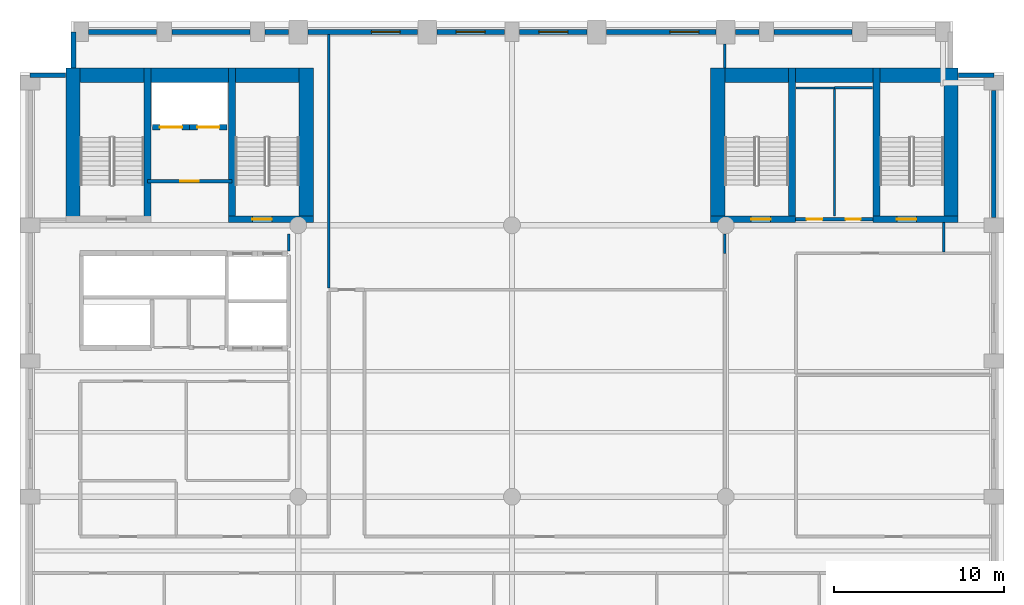
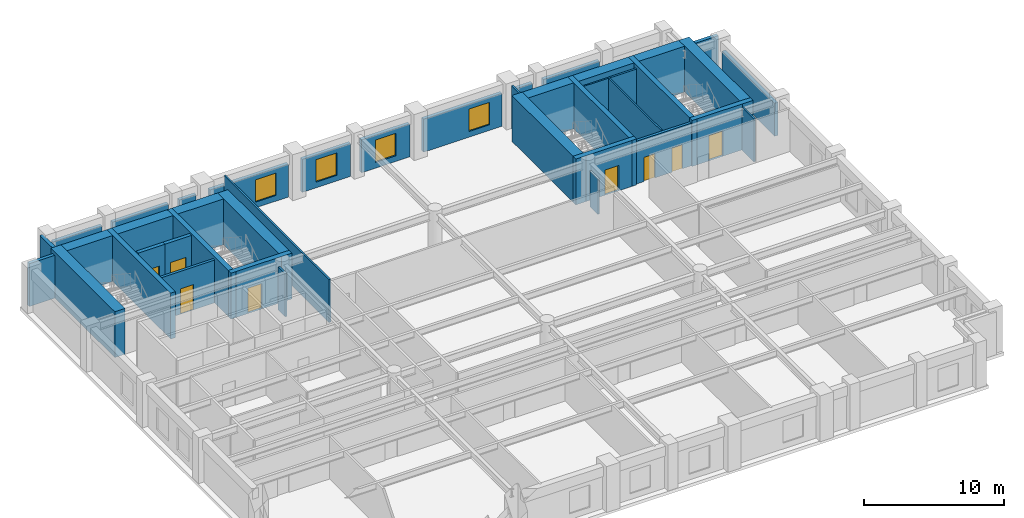
# One storey, part 5 of 8: 38 walls, 8 doors, 4 windows, 12 openings.
"""IFC4 building model written with IfcOpenShell, lengths in metres."""

from ifc_helpers import new_model, si_unit, direction, frame, frame_2d, origin, place, context, subcontext, project, spatial, rectangle, extrude, material, layer, layer_set, type_object, element, fill, save


model = new_model("IFC4")

# Units and contexts
model_context = context("Model", 3, precision=1e-05, world=origin(), true_north=direction((0.0, 1.0)))
body_context = subcontext(model_context, "Body", "Model", "MODEL_VIEW")
ifc_project = project(units=[si_unit("LENGTHUNIT", "METRE"), si_unit("AREAUNIT", "SQUARE_METRE"), si_unit("VOLUMEUNIT", "CUBIC_METRE"), si_unit("PLANEANGLEUNIT", "RADIAN"), si_unit("MASSUNIT", "GRAM", prefix="KILO")], contexts=[model_context])

# Site, building, storey
site_placement = place(None, origin())
site = spatial("IfcSite", under=ifc_project, at=site_placement, CompositionType="ELEMENT")
building_placement = place(site_placement, origin())
building = spatial("IfcBuilding", under=site, at=building_placement, Name="Sulina Concourse Tower", CompositionType="ELEMENT")
storey_placement = place(building_placement, frame((0.0, 0.0, 104.60009765625)))
storey = spatial("IfcBuildingStorey", under=building, at=storey_placement, Name="L25", CompositionType="ELEMENT", Elevation=104.60009765625)

# Wall, opening, door
ifc_material_1 = material(Name="Concrete C50/60", Category="concrete")
ifc_layer_1 = layer(ifc_material_1, 0.300048828125)
ifc_layer_set_1 = layer_set([ifc_layer_1], Name="Concrete C50/60")
wall_type_1 = type_object("IfcWallType", Name="Core Lift Hoistway Wall 300mm", PredefinedType="SOLIDWALL", material=ifc_layer_set_1)
wall_1_placement = place(storey_placement, frame((10.0, 39.780029296875, 0.0), z_axis=(0.0, 0.0, 1.0), x_axis=(-1.0, 0.0, 0.0)))
wall_1 = element("IfcWall", 1, at=wall_1_placement, inside=storey, type_object=wall_type_1, Name="L25 hoistway enclosure wall FFL-1", PredefinedType="SOLIDWALL", context=body_context, shape_type="SweptSolid", body=[
    extrude(rectangle(XDim=2.199951171875, YDim=0.300048828125, at=frame_2d((1.10009765625, 0.0))), origin(), (0.0, 0.0, 1.0), 4.0),
])
opening_1_placement = place(wall_1_placement, frame((0.449951171875, 0.0, 0.0)))
opening_1 = element("IfcOpeningElement", 2, at=opening_1_placement, cuts=wall_1, Name="Opening LD-02", PredefinedType="OPENING", context=body_context, shape_type="SweptSolid", body=[
    extrude(rectangle(XDim=1.300048828125, YDim=2.25, at=frame_2d((0.64990234375, 1.125))), frame((0.0, 0.159912109375, 0.0), z_axis=(0.0, -1.0, 0.0), x_axis=(1.0, 0.0, 0.0)), (0.0, 0.0, 1.0), 0.320068359375),
])
ifc_material_2 = material(Name="Stainless steel lift landing door", Category="steel")
ifc_layer_2 = layer(ifc_material_2, 0.050048828125)
ifc_layer_set_2 = layer_set([ifc_layer_2], Name="Stainless steel lift landing door")
door_type_1 = type_object("IfcDoorType", Name="Firefighting Lift Sliding Landing Door 1300x2250", OperationType="SLIDING_TO_RIGHT", PredefinedType="DOOR", material=ifc_layer_set_2)
door_1_placement = place(opening_1_placement, origin())
door_1 = element("IfcDoor", 3, at=door_1_placement, inside=storey, type_object=door_type_1, Name="L25 lift landing sliding door FFL-1", OperationType="SLIDING_TO_LEFT", OverallHeight=2.25, OverallWidth=1.300048828125, PredefinedType="DOOR", context=body_context, shape_type="SweptSolid", body=[
    extrude(rectangle(XDim=1.300048828125, YDim=2.25, at=frame_2d((0.64990234375, 1.125))), frame((0.0, 0.02490234375, 0.0), z_axis=(0.0, -1.0, 0.0), x_axis=(1.0, 0.0, 0.0)), (0.0, 0.0, 1.0), 0.050048828125),
])
fill(opening_1, door_1)

wall_2_placement = place(storey_placement, frame((12.199951171875, 39.780029296875, 0.0), z_axis=(0.0, 0.0, 1.0), x_axis=(-1.0, 0.0, 0.0)))
wall_2 = element("IfcWall", 4, at=wall_2_placement, inside=storey, type_object=wall_type_1, Name="L25 hoistway enclosure wall FFL-2", PredefinedType="SOLIDWALL", context=body_context, shape_type="SweptSolid", body=[
    extrude(rectangle(XDim=2.199951171875, YDim=0.300048828125, at=frame_2d((1.10009765625, 0.0))), origin(), (0.0, 0.0, 1.0), 4.0),
])
opening_2_placement = place(wall_2_placement, frame((0.449951171875, 0.0, 0.0)))
opening_2 = element("IfcOpeningElement", 5, at=opening_2_placement, cuts=wall_2, Name="Opening LD-02", PredefinedType="OPENING", context=body_context, shape_type="SweptSolid", body=[
    extrude(rectangle(XDim=1.300048828125, YDim=2.25, at=frame_2d((0.64990234375, 1.125))), frame((0.0, 0.159912109375, 0.0), z_axis=(0.0, -1.0, 0.0), x_axis=(1.0, 0.0, 0.0)), (0.0, 0.0, 1.0), 0.320068359375),
])
door_2_placement = place(opening_2_placement, origin())
door_2 = element("IfcDoor", 6, at=door_2_placement, inside=storey, type_object=door_type_1, Name="L25 lift landing sliding door FFL-2", OperationType="SLIDING_TO_RIGHT", OverallHeight=2.25, OverallWidth=1.300048828125, PredefinedType="DOOR", context=body_context, shape_type="SweptSolid", body=[
    extrude(rectangle(XDim=1.300048828125, YDim=2.25, at=frame_2d((0.64990234375, 1.125))), frame((0.0, 0.02490234375, 0.0), z_axis=(0.0, -1.0, 0.0), x_axis=(1.0, 0.0, 0.0)), (0.0, 0.0, 1.0), 0.050048828125),
])
fill(opening_2, door_2)

ifc_material_3 = material(Name="Gypsum board on steel stud", Category="steel")
ifc_layer_3 = layer(ifc_material_3, 0.219970703125)
ifc_layer_set_3 = layer_set([ifc_layer_3], Name="Gypsum board on steel stud")
wall_type_2 = type_object("IfcWallType", Name="Fire-Rated Lobby & Compartment Wall 220mm", PredefinedType="PARTITIONING", material=ifc_layer_set_3)
wall_3_placement = place(storey_placement, frame((7.510009765625, 36.60009765625, 0.0), z_axis=(0.0, 0.0, 1.0), x_axis=(1.0, 0.0, 0.0)))
wall_3 = element("IfcWall", 7, at=wall_3_placement, inside=storey, type_object=wall_type_2, Name="L25 firefighting lobby south fire wall", PredefinedType="PARTITIONING", context=body_context, shape_type="SweptSolid", body=[
    extrude(rectangle(XDim=4.97998046875, YDim=0.219970703125, at=frame_2d((2.489990234375, 0.0))), origin(), (0.0, 0.0, 1.0), 3.724853515625),
])
opening_3_placement = place(wall_3_placement, frame((1.93994140625, 0.0, 0.0)))
opening_3 = element("IfcOpeningElement", 8, at=opening_3_placement, cuts=wall_3, Name="Opening DR-47", PredefinedType="OPENING", context=body_context, shape_type="SweptSolid", body=[
    extrude(rectangle(XDim=1.10009765625, YDim=2.199951171875, at=frame_2d((0.550048828125, 1.10009765625))), frame((0.0, 0.119873046875, 0.0), z_axis=(0.0, -1.0, 0.0), x_axis=(1.0, 0.0, 0.0)), (0.0, 0.0, 1.0), 0.239990234375),
])
ifc_material_4 = material(Name="Galvanised steel acoustic fire leaf", Category="steel")
ifc_layer_4 = layer(ifc_material_4, 0.054931640625)
ifc_layer_set_4 = layer_set([ifc_layer_4], Name="Galvanised steel acoustic fire leaf")
door_type_2 = type_object("IfcDoorType", Name="Firefighting Lobby Fire Door 1100x2200", OperationType="NOTDEFINED", PredefinedType="DOOR", material=ifc_layer_set_4)
door_3_placement = place(opening_3_placement, origin())
door_3 = element("IfcDoor", 9, at=door_3_placement, inside=storey, type_object=door_type_2, Name="L25 firefighting lobby fire door", OperationType="SINGLE_SWING_RIGHT", OverallHeight=2.199951171875, OverallWidth=1.10009765625, PredefinedType="DOOR", context=body_context, shape_type="SweptSolid", body=[
    extrude(rectangle(XDim=1.10009765625, YDim=2.199951171875, at=frame_2d((0.550048828125, 1.10009765625))), frame((0.0, 0.02490234375, 0.0), z_axis=(0.0, -1.0, 0.0), x_axis=(1.0, 0.0, 0.0)), (0.0, 0.0, 1.0), 0.050048828125),
])
fill(opening_3, door_3)

# Wall, openings, doors
wall_4_placement = place(storey_placement, frame((45.719970703125, 34.35009765625, 0.0), z_axis=(0.0, 0.0, 1.0), x_axis=(1.0, 0.0, 0.0)))
wall_4 = element("IfcWall", 10, at=wall_4_placement, inside=storey, type_object=wall_type_2, Name="L25 east core south lobby wall", PredefinedType="PARTITIONING", context=body_context, shape_type="SweptSolid", body=[
    extrude(rectangle(XDim=4.56005859375, YDim=0.219970703125, at=frame_2d((2.280029296875, 0.0))), origin(), (0.0, 0.0, 1.0), 3.724853515625),
])
opening_4_placement = place(wall_4_placement, frame((0.64990234375, 0.0, 0.0)))
opening_4 = element("IfcOpeningElement", 11, at=opening_4_placement, cuts=wall_4, Name="Opening DR-61", PredefinedType="OPENING", context=body_context, shape_type="SweptSolid", body=[
    extrude(rectangle(XDim=0.919921875, YDim=2.10009765625, at=frame_2d((0.4599609375, 1.050048828125))), frame((0.0, 0.119873046875, 0.0), z_axis=(0.0, -1.0, 0.0), x_axis=(1.0, 0.0, 0.0)), (0.0, 0.0, 1.0), 0.239990234375),
])
opening_5_placement = place(wall_4_placement, frame((2.949951171875, 0.0, 0.0)))
opening_5 = element("IfcOpeningElement", 12, at=opening_5_placement, cuts=wall_4, Name="Opening DR-38", PredefinedType="OPENING", context=body_context, shape_type="SweptSolid", body=[
    extrude(rectangle(XDim=0.8798828125, YDim=2.10009765625, at=frame_2d((0.43994140625, 1.050048828125))), frame((0.0, 0.119873046875, 0.0), z_axis=(0.0, -1.0, 0.0), x_axis=(1.0, 0.0, 0.0)), (0.0, 0.0, 1.0), 0.239990234375),
])
ifc_material_5 = material(Name="Oak-veneered fire door leaf")
ifc_layer_5 = layer(ifc_material_5, 0.050048828125)
ifc_layer_set_5 = layer_set([ifc_layer_5], Name="Oak-veneered fire door leaf")
door_type_3 = type_object("IfcDoorType", Name="Accessible WC Door 920x2100", OperationType="NOTDEFINED", PredefinedType="DOOR", material=ifc_layer_set_5)
door_4_placement = place(opening_4_placement, origin())
door_4 = element("IfcDoor", 13, at=door_4_placement, inside=storey, type_object=door_type_3, Name="L25 east core accessible wc door", OperationType="SINGLE_SWING_RIGHT", OverallHeight=2.10009765625, OverallWidth=0.919921875, PredefinedType="DOOR", context=body_context, shape_type="SweptSolid", body=[
    extrude(rectangle(XDim=0.919921875, YDim=2.10009765625, at=frame_2d((0.4599609375, 1.050048828125))), frame((0.0, 0.02490234375, 0.0), z_axis=(0.0, -1.0, 0.0), x_axis=(1.0, 0.0, 0.0)), (0.0, 0.0, 1.0), 0.050048828125),
])
fill(opening_4, door_4)
ifc_material_6 = material(Name="Galvanised steel acoustic fire leaf", Category="steel")
ifc_layer_6 = layer(ifc_material_6, 0.050048828125)
ifc_layer_set_6 = layer_set([ifc_layer_6], Name="Galvanised steel acoustic fire leaf")
door_type_4 = type_object("IfcDoorType", Name="Service Riser Fire Door 880x2100", OperationType="NOTDEFINED", PredefinedType="DOOR", material=ifc_layer_set_6)
door_5_placement = place(opening_5_placement, origin())
door_5 = element("IfcDoor", 14, at=door_5_placement, inside=storey, type_object=door_type_4, Name="L25 east core store door", OperationType="SINGLE_SWING_LEFT", OverallHeight=2.10009765625, OverallWidth=0.8798828125, PredefinedType="DOOR", context=body_context, shape_type="SweptSolid", body=[
    extrude(rectangle(XDim=0.8798828125, YDim=2.10009765625, at=frame_2d((0.43994140625, 1.050048828125))), frame((0.0, 0.02490234375, 0.0), z_axis=(0.0, -1.0, 0.0), x_axis=(1.0, 0.0, 0.0)), (0.0, 0.0, 1.0), 0.050048828125),
])
fill(opening_5, door_5)

# Walls
ifc_material_7 = material(Name="Gypsum board on steel stud", Category="steel")
ifc_layer_7 = layer(ifc_material_7, 0.14990234375)
ifc_layer_set_7 = layer_set([ifc_layer_7], Name="Gypsum board on steel stud")
wall_type_3 = type_object("IfcWallType", Name="Inter-Tenancy Acoustic Partition 150mm", PredefinedType="PARTITIONING", material=ifc_layer_set_7)
wall_5_placement = place(storey_placement, frame((48.0, 42.10009765625, 0.0), z_axis=(0.0, 0.0, 1.0), x_axis=(1.0, 0.0, 0.0)))
element("IfcWall", 15, at=wall_5_placement, inside=storey, type_object=wall_type_3, Name="L25 interior partition 025", PredefinedType="PARTITIONING", context=body_context, shape_type="SweptSolid", body=[
    extrude(rectangle(XDim=2.25, YDim=0.14990234375, at=frame_2d((1.125, 0.0))), origin(), (0.0, 0.0, 1.0), 3.724853515625),
])
wall_6_placement = place(storey_placement, frame((15.85009765625, 32.469970703125, 0.0), z_axis=(0.0, 0.0, 1.0), x_axis=(0.0, 1.0, 0.0)))
element("IfcWall", 16, at=wall_6_placement, inside=storey, type_object=wall_type_3, Name="L25 interior partition 035", PredefinedType="PARTITIONING", context=body_context, shape_type="SweptSolid", body=[
    extrude(rectangle(XDim=1.030029296875, YDim=0.14990234375, at=frame_2d((0.51513671875, 0.0))), origin(), (0.0, 0.0, 1.0), 3.724853515625),
])
wall_7_placement = place(storey_placement, frame((18.199951171875, 30.2900390625, 0.0), z_axis=(0.0, 0.0, 1.0), x_axis=(0.0, 1.0, 0.0)))
element("IfcWall", 17, at=wall_7_placement, inside=storey, type_object=wall_type_3, Name="L25 interior partition 037", PredefinedType="PARTITIONING", context=body_context, shape_type="SweptSolid", body=[
    extrude(rectangle(XDim=14.969970703125, YDim=0.14990234375, at=frame_2d((7.48486328125, 0.0))), origin(), (0.0, 0.0, 1.0), 3.724853515625),
])
wall_8_placement = place(storey_placement, frame((41.550048828125, 32.35009765625, 0.0), z_axis=(0.0, 0.0, 1.0), x_axis=(0.0, 1.0, 0.0)))
element("IfcWall", 18, at=wall_8_placement, inside=storey, type_object=wall_type_3, Name="L25 interior partition 045", PredefinedType="PARTITIONING", context=body_context, shape_type="SweptSolid", body=[
    extrude(rectangle(XDim=1.14990234375, YDim=0.14990234375, at=frame_2d((0.574951171875, 0.0))), origin(), (0.0, 0.0, 1.0), 3.06982421875),
])
wall_9_placement = place(storey_placement, frame((41.550048828125, 43.280029296875, 0.0), z_axis=(0.0, 0.0, 1.0), x_axis=(0.0, 1.0, 0.0)))
element("IfcWall", 19, at=wall_9_placement, inside=storey, type_object=wall_type_3, Name="L25 interior partition 046", PredefinedType="PARTITIONING", context=body_context, shape_type="SweptSolid", body=[
    extrude(rectangle(XDim=1.419921875, YDim=0.14990234375, at=frame_2d((0.7099609375, 0.0))), origin(), (0.0, 0.0, 1.0), 3.724853515625),
])
wall_10_placement = place(storey_placement, frame((54.449951171875, 32.425048828125, 0.0), z_axis=(0.0, 0.0, 1.0), x_axis=(0.0, 1.0, 0.0)))
element("IfcWall", 20, at=wall_10_placement, inside=storey, type_object=wall_type_3, Name="L25 interior partition 051", PredefinedType="PARTITIONING", context=body_context, shape_type="SweptSolid", body=[
    extrude(rectangle(XDim=1.724853515625, YDim=0.14990234375, at=frame_2d((0.8623046875, 0.0))), origin(), (0.0, 0.0, 1.0), 3.724853515625),
])

# Wall, opening, door
ifc_material_8 = material(Name="Concrete C60/75", Category="concrete")
ifc_layer_8 = layer(ifc_material_8, 0.39990234375)
ifc_layer_set_8 = layer_set([ifc_layer_8], Name="Concrete C60/75")
wall_type_4 = type_object("IfcWallType", Name="Protected Stair Core Shear Wall 400mm", PredefinedType="SHEAR", material=ifc_layer_set_8)
wall_11_placement = place(storey_placement, frame((12.2900390625, 34.35009765625, 0.0), z_axis=(0.0, 0.0, 1.0), x_axis=(1.0, 0.0, 0.0)))
wall_11 = element("IfcWall", 21, at=wall_11_placement, inside=storey, type_object=wall_type_4, Name="L25 west core shear wall CW-WS2", PredefinedType="SHEAR", context=body_context, shape_type="SweptSolid", body=[
    extrude(rectangle(XDim=5.010009765625, YDim=0.39990234375, at=frame_2d((2.5048828125, 0.0))), origin(), (0.0, 0.0, 1.0), 4.0),
])
opening_6_placement = place(wall_11_placement, frame((1.39990234375, 0.0, 0.0)))
opening_6 = element("IfcOpeningElement", 22, at=opening_6_placement, cuts=wall_11, Name="Opening DR-60", PredefinedType="OPENING", context=body_context, shape_type="SweptSolid", body=[
    extrude(rectangle(XDim=1.14990234375, YDim=2.199951171875, at=frame_2d((0.574951171875, 1.10009765625))), frame((0.0, 0.2099609375, 0.0), z_axis=(0.0, -1.0, 0.0), x_axis=(1.0, 0.0, 0.0)), (0.0, 0.0, 1.0), 0.419921875),
])
ifc_material_9 = material(Name="Galvanised steel acoustic fire leaf", Category="steel")
ifc_layer_9 = layer(ifc_material_9, 0.054931640625)
ifc_layer_set_9 = layer_set([ifc_layer_9], Name="Galvanised steel acoustic fire leaf")
door_type_5 = type_object("IfcDoorType", Name="Protected Exit Stair Fire Door 1150x2200", OperationType="NOTDEFINED", PredefinedType="DOOR", material=ifc_layer_set_9)
door_6_placement = place(opening_6_placement, origin())
door_6 = element("IfcDoor", 23, at=door_6_placement, inside=storey, type_object=door_type_5, Name="L25 stair ST-2 lobby fire door", OperationType="SINGLE_SWING_LEFT", OverallHeight=2.199951171875, OverallWidth=1.14990234375, PredefinedType="DOOR", context=body_context, shape_type="SweptSolid", body=[
    extrude(rectangle(XDim=1.14990234375, YDim=2.199951171875, at=frame_2d((0.574951171875, 1.10009765625))), frame((0.0, 0.02490234375, 0.0), z_axis=(0.0, -1.0, 0.0), x_axis=(1.0, 0.0, 0.0)), (0.0, 0.0, 1.0), 0.050048828125),
])
fill(opening_6, door_6)

# Walls
for number, where, z_axis, x_axis, name in (
    (24, (7.510009765625, 34.14990234375, 0.0), (0.0, 0.0, 1.0), (0.0, 1.0, 0.0), "L25 west core shear wall SW-ST1"),
    (25, (12.489990234375, 34.14990234375, 0.0), (0.0, 0.0, 1.0), (0.0, 1.0, 0.0), "L25 west core shear wall SW-ST2"),
):
    element("IfcWall", number, at=place(storey_placement, frame(where, z_axis=z_axis, x_axis=x_axis)), inside=storey, type_object=wall_type_4, Name=name, PredefinedType="SHEAR", context=body_context, shape_type="SweptSolid", body=[
        extrude(rectangle(XDim=9.130126953125, YDim=0.39990234375, at=frame_2d((4.56494140625, 0.0))), origin(), (0.0, 0.0, 1.0), 4.0),
    ])

# Wall, opening, door
wall_12_placement = place(storey_placement, frame((40.699951171875, 34.35009765625, 0.0), z_axis=(0.0, 0.0, 1.0), x_axis=(1.0, 0.0, 0.0)))
wall_12 = element("IfcWall", 26, at=wall_12_placement, inside=storey, type_object=wall_type_4, Name="L25 east core shear wall CW-ES1", PredefinedType="SHEAR", context=body_context, shape_type="SweptSolid", body=[
    extrude(rectangle(XDim=5.010009765625, YDim=0.39990234375, at=frame_2d((2.5048828125, 0.0))), origin(), (0.0, 0.0, 1.0), 4.0),
])
opening_7_placement = place(wall_12_placement, frame((2.39990234375, 0.0, 0.0)))
opening_7 = element("IfcOpeningElement", 27, at=opening_7_placement, cuts=wall_12, Name="Opening DR-60", PredefinedType="OPENING", context=body_context, shape_type="SweptSolid", body=[
    extrude(rectangle(XDim=1.14990234375, YDim=2.199951171875, at=frame_2d((0.574951171875, 1.10009765625))), frame((0.0, 0.2099609375, 0.0), z_axis=(0.0, -1.0, 0.0), x_axis=(1.0, 0.0, 0.0)), (0.0, 0.0, 1.0), 0.419921875),
])
door_7_placement = place(opening_7_placement, origin())
door_7 = element("IfcDoor", 28, at=door_7_placement, inside=storey, type_object=door_type_5, Name="L25 stair ST-3 south lobby fire door", OperationType="SINGLE_SWING_LEFT", OverallHeight=2.199951171875, OverallWidth=1.14990234375, PredefinedType="DOOR", context=body_context, shape_type="SweptSolid", body=[
    extrude(rectangle(XDim=1.14990234375, YDim=2.199951171875, at=frame_2d((0.574951171875, 1.10009765625))), frame((0.0, 0.02490234375, 0.0), z_axis=(0.0, -1.0, 0.0), x_axis=(1.0, 0.0, 0.0)), (0.0, 0.0, 1.0), 0.050048828125),
])
fill(opening_7, door_7)

# Wall
wall_13_placement = place(storey_placement, frame((45.510009765625, 34.14990234375, 0.0), z_axis=(0.0, 0.0, 1.0), x_axis=(0.0, 1.0, 0.0)))
element("IfcWall", 29, at=wall_13_placement, inside=storey, type_object=wall_type_4, Name="L25 east core shear wall SW-ST3", PredefinedType="SHEAR", context=body_context, shape_type="SweptSolid", body=[
    extrude(rectangle(XDim=9.130126953125, YDim=0.39990234375, at=frame_2d((4.56494140625, 0.0))), origin(), (0.0, 0.0, 1.0), 4.0),
])

# Wall, opening, door
wall_14_placement = place(storey_placement, frame((50.2900390625, 34.35009765625, 0.0), z_axis=(0.0, 0.0, 1.0), x_axis=(1.0, 0.0, 0.0)))
wall_14 = element("IfcWall", 30, at=wall_14_placement, inside=storey, type_object=wall_type_4, Name="L25 east core shear wall CW-ES2", PredefinedType="SHEAR", context=body_context, shape_type="SweptSolid", body=[
    extrude(rectangle(XDim=5.010009765625, YDim=0.39990234375, at=frame_2d((2.5048828125, 0.0))), origin(), (0.0, 0.0, 1.0), 4.0),
])
opening_8_placement = place(wall_14_placement, frame((1.39990234375, 0.0, 0.0)))
opening_8 = element("IfcOpeningElement", 31, at=opening_8_placement, cuts=wall_14, Name="Opening DR-60", PredefinedType="OPENING", context=body_context, shape_type="SweptSolid", body=[
    extrude(rectangle(XDim=1.14990234375, YDim=2.199951171875, at=frame_2d((0.574951171875, 1.10009765625))), frame((0.0, 0.2099609375, 0.0), z_axis=(0.0, -1.0, 0.0), x_axis=(1.0, 0.0, 0.0)), (0.0, 0.0, 1.0), 0.419921875),
])
door_8_placement = place(opening_8_placement, origin())
door_8 = element("IfcDoor", 32, at=door_8_placement, inside=storey, type_object=door_type_5, Name="L25 stair ST-4 south lobby fire door", OperationType="SINGLE_SWING_RIGHT", OverallHeight=2.199951171875, OverallWidth=1.14990234375, PredefinedType="DOOR", context=body_context, shape_type="SweptSolid", body=[
    extrude(rectangle(XDim=1.14990234375, YDim=2.199951171875, at=frame_2d((0.574951171875, 1.10009765625))), frame((0.0, 0.02490234375, 0.0), z_axis=(0.0, -1.0, 0.0), x_axis=(1.0, 0.0, 0.0)), (0.0, 0.0, 1.0), 0.050048828125),
])
fill(opening_8, door_8)

# Walls
wall_15_placement = place(storey_placement, frame((50.489990234375, 34.14990234375, 0.0), z_axis=(0.0, 0.0, 1.0), x_axis=(0.0, 1.0, 0.0)))
element("IfcWall", 33, at=wall_15_placement, inside=storey, type_object=wall_type_4, Name="L25 east core shear wall SW-ST4", PredefinedType="SHEAR", context=body_context, shape_type="SweptSolid", body=[
    extrude(rectangle(XDim=9.130126953125, YDim=0.39990234375, at=frame_2d((4.56494140625, 0.0))), origin(), (0.0, 0.0, 1.0), 4.0),
])
ifc_material_10 = material(Name="Concrete C60/75", Category="concrete")
ifc_layer_10 = layer(ifc_material_10, 0.85009765625)
ifc_layer_set_10 = layer_set([ifc_layer_10], Name="Concrete C60/75")
wall_type_5 = type_object("IfcWallType", Name="Rear Core Shear Wall 850mm", PredefinedType="SHEAR", material=ifc_layer_set_10)
wall_16_placement = place(storey_placement, frame((2.699951171875, 42.85498046875, 0.0), z_axis=(0.0, 0.0, 1.0), x_axis=(1.0, 0.0, 0.0)))
element("IfcWall", 34, at=wall_16_placement, inside=storey, type_object=wall_type_5, Name="L25 west core shear wall CW-WN", PredefinedType="SHEAR", context=body_context, shape_type="SweptSolid", body=[
    extrude(rectangle(XDim=14.60009765625, YDim=0.85009765625, at=frame_2d((7.300048828125, 0.0))), origin(), (0.0, 0.0, 1.0), 4.0),
])
for number, where, z_axis, x_axis, name in (
    (35, (3.125, 34.14990234375, 0.0), (0.0, 0.0, 1.0), (0.0, 1.0, 0.0), "L25 west core shear wall CW-WW"),
    (36, (16.875, 34.14990234375, 0.0), (0.0, 0.0, 1.0), (0.0, 1.0, 0.0), "L25 west core shear wall CW-WE"),
):
    element("IfcWall", number, at=place(storey_placement, frame(where, z_axis=z_axis, x_axis=x_axis)), inside=storey, type_object=wall_type_5, Name=name, PredefinedType="SHEAR", context=body_context, shape_type="SweptSolid", body=[
        extrude(rectangle(XDim=9.130126953125, YDim=0.85009765625, at=frame_2d((4.56494140625, 0.0))), origin(), (0.0, 0.0, 1.0), 4.0),
    ])
wall_17_placement = place(storey_placement, frame((40.699951171875, 42.85498046875, 0.0), z_axis=(0.0, 0.0, 1.0), x_axis=(1.0, 0.0, 0.0)))
element("IfcWall", 37, at=wall_17_placement, inside=storey, type_object=wall_type_5, Name="L25 east core shear wall CW-EN", PredefinedType="SHEAR", context=body_context, shape_type="SweptSolid", body=[
    extrude(rectangle(XDim=14.60009765625, YDim=0.85009765625, at=frame_2d((7.300048828125, 0.0))), origin(), (0.0, 0.0, 1.0), 4.0),
])
for number, where, z_axis, x_axis, name in (
    (38, (41.125, 34.14990234375, 0.0), (0.0, 0.0, 1.0), (0.0, 1.0, 0.0), "L25 east core shear wall CW-EW"),
    (39, (54.875, 34.14990234375, 0.0), (0.0, 0.0, 1.0), (0.0, 1.0, 0.0), "L25 east core shear wall CW-EE"),
):
    element("IfcWall", number, at=place(storey_placement, frame(where, z_axis=z_axis, x_axis=x_axis)), inside=storey, type_object=wall_type_5, Name=name, PredefinedType="SHEAR", context=body_context, shape_type="SweptSolid", body=[
        extrude(rectangle(XDim=9.130126953125, YDim=0.85009765625, at=frame_2d((4.56494140625, 0.0))), origin(), (0.0, 0.0, 1.0), 4.0),
    ])
ifc_material_11 = material(Name="Precast concrete C50/60", Category="concrete")
ifc_layer_11 = layer(ifc_material_11, 0.280029296875)
ifc_layer_set_11 = layer_set([ifc_layer_11], Name="Precast concrete C50/60")
wall_type_6 = type_object("IfcWallType", Name="Typical Precast Masonry-Frame Facade Wall 280mm", PredefinedType="SOLIDWALL", material=ifc_layer_set_11)
wall_18_placement = place(storey_placement, frame((4.044921875, 45.39990234375, 0.0), z_axis=(0.0, 0.0, 1.0), x_axis=(1.0, 0.0, 0.0)))
element("IfcWall", 40, at=wall_18_placement, inside=storey, type_object=wall_type_6, Name="L25 exterior precast wall N1", PredefinedType="SOLIDWALL", context=body_context, shape_type="SweptSolid", body=[
    extrude(rectangle(XDim=4.010009765625, YDim=0.280029296875, at=frame_2d((2.0048828125, 0.0))), origin(), (0.0, 0.0, 1.0), 2.875),
])
wall_19_placement = place(storey_placement, frame((8.945068359375, 45.39990234375, 0.0), z_axis=(0.0, 0.0, 1.0), x_axis=(1.0, 0.0, 0.0)))
element("IfcWall", 41, at=wall_19_placement, inside=storey, type_object=wall_type_6, Name="L25 exterior precast wall N2", PredefinedType="SOLIDWALL", context=body_context, shape_type="SweptSolid", body=[
    extrude(rectangle(XDim=4.60986328125, YDim=0.280029296875, at=frame_2d((2.304931640625, 0.0))), origin(), (0.0, 0.0, 1.0), 2.875),
])
wall_20_placement = place(storey_placement, frame((14.445068359375, 45.39990234375, 0.0), z_axis=(0.0, 0.0, 1.0), x_axis=(1.0, 0.0, 0.0)))
element("IfcWall", 42, at=wall_20_placement, inside=storey, type_object=wall_type_6, Name="L25 exterior precast wall N3", PredefinedType="SOLIDWALL", context=body_context, shape_type="SweptSolid", body=[
    extrude(rectangle(XDim=1.385009765625, YDim=0.280029296875, at=frame_2d((0.6923828125, 0.0))), origin(), (0.0, 0.0, 1.0), 2.875),
])

# Wall, opening, window
wall_21_placement = place(storey_placement, frame((16.969970703125, 45.39990234375, 0.0), z_axis=(0.0, 0.0, 1.0), x_axis=(1.0, 0.0, 0.0)))
wall_21 = element("IfcWall", 43, at=wall_21_placement, inside=storey, type_object=wall_type_6, Name="L25 exterior precast wall N4", PredefinedType="SOLIDWALL", context=body_context, shape_type="SweptSolid", body=[
    extrude(rectangle(XDim=6.4599609375, YDim=0.280029296875, at=frame_2d((3.22998046875, 0.0))), origin(), (0.0, 0.0, 1.0), 2.875),
])
opening_9_placement = place(wall_21_placement, frame((3.739990234375, 0.0, 0.5)))
opening_9 = element("IfcOpeningElement", 44, at=opening_9_placement, cuts=wall_21, Name="Opening WN-66", PredefinedType="OPENING", context=body_context, shape_type="SweptSolid", body=[
    extrude(rectangle(XDim=1.699951171875, YDim=1.949951171875, at=frame_2d((0.85009765625, 0.97509765625))), frame((0.0, 0.14990234375, 0.0), z_axis=(0.0, -1.0, 0.0), x_axis=(1.0, 0.0, 0.0)), (0.0, 0.0, 1.0), 0.300048828125),
])
ifc_material_12 = material(Name="Low-E solar double glazing in bronze aluminium", Category="aluminium")
window_type = type_object("IfcWindowType", Name="Recessed Spandrel Window 1700x1950", PartitioningType="SINGLE_PANEL", PredefinedType="WINDOW", material=ifc_material_12)
window_1_placement = place(opening_9_placement, origin())
window_1 = element("IfcWindow", 45, at=window_1_placement, inside=storey, type_object=window_type, Name="L25 punched window N4-1", OverallHeight=1.949951171875, OverallWidth=1.699951171875, PartitioningType="SINGLE_PANEL", PredefinedType="WINDOW", context=body_context, shape_type="SweptSolid", body=[
    extrude(rectangle(XDim=1.699951171875, YDim=1.949951171875, at=frame_2d((0.85009765625, 0.97509765625))), frame((0.0, 0.030029296875, 0.0), z_axis=(0.0, -1.0, 0.0), x_axis=(1.0, 0.0, 0.0)), (0.0, 0.0, 1.0), 0.06005859375),
])
fill(opening_9, window_1)

wall_22_placement = place(storey_placement, frame((24.570068359375, 45.39990234375, 0.0), z_axis=(0.0, 0.0, 1.0), x_axis=(1.0, 0.0, 0.0)))
wall_22 = element("IfcWall", 46, at=wall_22_placement, inside=storey, type_object=wall_type_6, Name="L25 exterior precast wall N5", PredefinedType="SOLIDWALL", context=body_context, shape_type="SweptSolid", body=[
    extrude(rectangle(XDim=3.98486328125, YDim=0.280029296875, at=frame_2d((1.992431640625, 0.0))), origin(), (0.0, 0.0, 1.0), 2.875),
])
opening_10_placement = place(wall_22_placement, frame((1.142578125, 0.0, 0.5)))
opening_10 = element("IfcOpeningElement", 47, at=opening_10_placement, cuts=wall_22, Name="Opening WN-66", PredefinedType="OPENING", context=body_context, shape_type="SweptSolid", body=[
    extrude(rectangle(XDim=1.699951171875, YDim=1.949951171875, at=frame_2d((0.85009765625, 0.97509765625))), frame((0.0, 0.14990234375, 0.0), z_axis=(0.0, -1.0, 0.0), x_axis=(1.0, 0.0, 0.0)), (0.0, 0.0, 1.0), 0.300048828125),
])
window_2_placement = place(opening_10_placement, origin())
window_2 = element("IfcWindow", 48, at=window_2_placement, inside=storey, type_object=window_type, Name="L25 punched window N5-1", OverallHeight=1.949951171875, OverallWidth=1.699951171875, PartitioningType="SINGLE_PANEL", PredefinedType="WINDOW", context=body_context, shape_type="SweptSolid", body=[
    extrude(rectangle(XDim=1.699951171875, YDim=1.949951171875, at=frame_2d((0.85009765625, 0.97509765625))), frame((0.0, 0.030029296875, 0.0), z_axis=(0.0, -1.0, 0.0), x_axis=(1.0, 0.0, 0.0)), (0.0, 0.0, 1.0), 0.06005859375),
])
fill(opening_10, window_2)

wall_23_placement = place(storey_placement, frame((29.445068359375, 45.39990234375, 0.0), z_axis=(0.0, 0.0, 1.0), x_axis=(1.0, 0.0, 0.0)))
wall_23 = element("IfcWall", 49, at=wall_23_placement, inside=storey, type_object=wall_type_6, Name="L25 exterior precast wall N6", PredefinedType="SOLIDWALL", context=body_context, shape_type="SweptSolid", body=[
    extrude(rectangle(XDim=3.98486328125, YDim=0.280029296875, at=frame_2d((1.992431640625, 0.0))), origin(), (0.0, 0.0, 1.0), 2.875),
])
opening_11_placement = place(wall_23_placement, frame((1.142578125, 0.0, 0.5)))
opening_11 = element("IfcOpeningElement", 50, at=opening_11_placement, cuts=wall_23, Name="Opening WN-66", PredefinedType="OPENING", context=body_context, shape_type="SweptSolid", body=[
    extrude(rectangle(XDim=1.699951171875, YDim=1.949951171875, at=frame_2d((0.85009765625, 0.97509765625))), frame((0.0, 0.14990234375, 0.0), z_axis=(0.0, -1.0, 0.0), x_axis=(1.0, 0.0, 0.0)), (0.0, 0.0, 1.0), 0.300048828125),
])
window_3_placement = place(opening_11_placement, origin())
window_3 = element("IfcWindow", 51, at=window_3_placement, inside=storey, type_object=window_type, Name="L25 punched window N6-1", OverallHeight=1.949951171875, OverallWidth=1.699951171875, PartitioningType="SINGLE_PANEL", PredefinedType="WINDOW", context=body_context, shape_type="SweptSolid", body=[
    extrude(rectangle(XDim=1.699951171875, YDim=1.949951171875, at=frame_2d((0.85009765625, 0.97509765625))), frame((0.0, 0.030029296875, 0.0), z_axis=(0.0, -1.0, 0.0), x_axis=(1.0, 0.0, 0.0)), (0.0, 0.0, 1.0), 0.06005859375),
])
fill(opening_11, window_3)

wall_24_placement = place(storey_placement, frame((34.570068359375, 45.39990234375, 0.0), z_axis=(0.0, 0.0, 1.0), x_axis=(1.0, 0.0, 0.0)))
wall_24 = element("IfcWall", 52, at=wall_24_placement, inside=storey, type_object=wall_type_6, Name="L25 exterior precast wall N7", PredefinedType="SOLIDWALL", context=body_context, shape_type="SweptSolid", body=[
    extrude(rectangle(XDim=6.4599609375, YDim=0.280029296875, at=frame_2d((3.22998046875, 0.0))), origin(), (0.0, 0.0, 1.0), 2.875),
])
opening_12_placement = place(wall_24_placement, frame((3.739990234375, 0.0, 0.5)))
opening_12 = element("IfcOpeningElement", 53, at=opening_12_placement, cuts=wall_24, Name="Opening WN-66", PredefinedType="OPENING", context=body_context, shape_type="SweptSolid", body=[
    extrude(rectangle(XDim=1.699951171875, YDim=1.949951171875, at=frame_2d((0.85009765625, 0.97509765625))), frame((0.0, 0.14990234375, 0.0), z_axis=(0.0, -1.0, 0.0), x_axis=(1.0, 0.0, 0.0)), (0.0, 0.0, 1.0), 0.300048828125),
])
window_4_placement = place(opening_12_placement, origin())
window_4 = element("IfcWindow", 54, at=window_4_placement, inside=storey, type_object=window_type, Name="L25 punched window N7-1", OverallHeight=1.949951171875, OverallWidth=1.699951171875, PartitioningType="SINGLE_PANEL", PredefinedType="WINDOW", context=body_context, shape_type="SweptSolid", body=[
    extrude(rectangle(XDim=1.699951171875, YDim=1.949951171875, at=frame_2d((0.85009765625, 0.97509765625))), frame((0.0, 0.030029296875, 0.0), z_axis=(0.0, -1.0, 0.0), x_axis=(1.0, 0.0, 0.0)), (0.0, 0.0, 1.0), 0.06005859375),
])
fill(opening_12, window_4)

# Walls
wall_25_placement = place(storey_placement, frame((42.169921875, 45.39990234375, 0.0), z_axis=(0.0, 0.0, 1.0), x_axis=(1.0, 0.0, 0.0)))
element("IfcWall", 55, at=wall_25_placement, inside=storey, type_object=wall_type_6, Name="L25 exterior precast wall N8", PredefinedType="SOLIDWALL", context=body_context, shape_type="SweptSolid", body=[
    extrude(rectangle(XDim=1.385009765625, YDim=0.280029296875, at=frame_2d((0.6923828125, 0.0))), origin(), (0.0, 0.0, 1.0), 2.875),
])
wall_26_placement = place(storey_placement, frame((44.445068359375, 45.39990234375, 0.0), z_axis=(0.0, 0.0, 1.0), x_axis=(1.0, 0.0, 0.0)))
element("IfcWall", 56, at=wall_26_placement, inside=storey, type_object=wall_type_6, Name="L25 exterior precast wall N9", PredefinedType="SOLIDWALL", context=body_context, shape_type="SweptSolid", body=[
    extrude(rectangle(XDim=4.60986328125, YDim=0.280029296875, at=frame_2d((2.304931640625, 0.0))), origin(), (0.0, 0.0, 1.0), 2.875),
])
wall_27_placement = place(storey_placement, frame((57.39990234375, 41.955078125, 0.0), z_axis=(0.0, 0.0, 1.0), x_axis=(0.0, -1.0, 0.0)))
element("IfcWall", 57, at=wall_27_placement, inside=storey, type_object=wall_type_6, Name="L25 exterior precast wall E5", PredefinedType="SOLIDWALL", context=body_context, shape_type="SweptSolid", body=[
    extrude(rectangle(XDim=7.510009765625, YDim=0.280029296875, at=frame_2d((3.7548828125, 0.0))), origin(), (0.0, 0.0, 1.0), 2.875),
])
wall_28_placement = place(storey_placement, frame((0.60009765625, 42.844970703125, 0.0), z_axis=(0.0, 0.0, 1.0), x_axis=(1.0, 0.0, 0.0)))
element("IfcWall", 58, at=wall_28_placement, inside=storey, type_object=wall_type_6, Name="L25 exterior precast wall CNW1", PredefinedType="SOLIDWALL", context=body_context, shape_type="SweptSolid", body=[
    extrude(rectangle(XDim=2.094970703125, YDim=0.280029296875, at=frame_2d((1.04736328125, 0.0))), origin(), (0.0, 0.0, 1.0), 3.724853515625),
])
wall_29_placement = place(storey_placement, frame((3.155029296875, 43.284912109375, 0.0), z_axis=(0.0, 0.0, 1.0), x_axis=(0.0, 1.0, 0.0)))
element("IfcWall", 59, at=wall_29_placement, inside=storey, type_object=wall_type_6, Name="L25 exterior precast wall CNW2", PredefinedType="SOLIDWALL", context=body_context, shape_type="SweptSolid", body=[
    extrude(rectangle(XDim=2.114990234375, YDim=0.280029296875, at=frame_2d((1.0576171875, 0.0))), origin(), (0.0, 0.0, 1.0), 3.724853515625),
])
wall_30_placement = place(storey_placement, frame((55.304931640625, 42.844970703125, 0.0), z_axis=(0.0, 0.0, 1.0), x_axis=(1.0, 0.0, 0.0)))
element("IfcWall", 60, at=wall_30_placement, inside=storey, type_object=wall_type_6, Name="L25 exterior precast wall CNE2", PredefinedType="SOLIDWALL", context=body_context, shape_type="SweptSolid", body=[
    extrude(rectangle(XDim=2.094970703125, YDim=0.280029296875, at=frame_2d((1.04736328125, 0.0))), origin(), (0.0, 0.0, 1.0), 3.724853515625),
])
ifc_material_13 = material(Name="Gypsum board on steel stud", Category="steel")
ifc_layer_12 = layer(ifc_material_13, 0.125)
ifc_layer_set_12 = layer_set([ifc_layer_12], Name="Gypsum board on steel stud")
wall_type_7 = type_object("IfcWallType", Name="Wet-Area Moisture-Resistant Partition 125mm", PredefinedType="PARTITIONING", material=ifc_layer_set_12)
wall_31_placement = place(storey_placement, frame((45.75, 42.10009765625, 0.0), z_axis=(0.0, 0.0, 1.0), x_axis=(1.0, 0.0, 0.0)))
element("IfcWall", 61, at=wall_31_placement, inside=storey, type_object=wall_type_7, Name="L25 interior partition 024", PredefinedType="PARTITIONING", context=body_context, shape_type="SweptSolid", body=[
    extrude(rectangle(XDim=2.25, YDim=0.125, at=frame_2d((1.125, 0.0))), origin(), (0.0, 0.0, 1.0), 3.724853515625),
])
wall_32_placement = place(storey_placement, frame((48.0, 34.550048828125, 0.0), z_axis=(0.0, 0.0, 1.0), x_axis=(0.0, 1.0, 0.0)))
element("IfcWall", 62, at=wall_32_placement, inside=storey, type_object=wall_type_7, Name="L25 interior partition 050", PredefinedType="PARTITIONING", context=body_context, shape_type="SweptSolid", body=[
    extrude(rectangle(XDim=7.474853515625, YDim=0.125, at=frame_2d((3.7373046875, 0.0))), origin(), (0.0, 0.0, 1.0), 3.724853515625),
])

save(model, "model.ifc")
